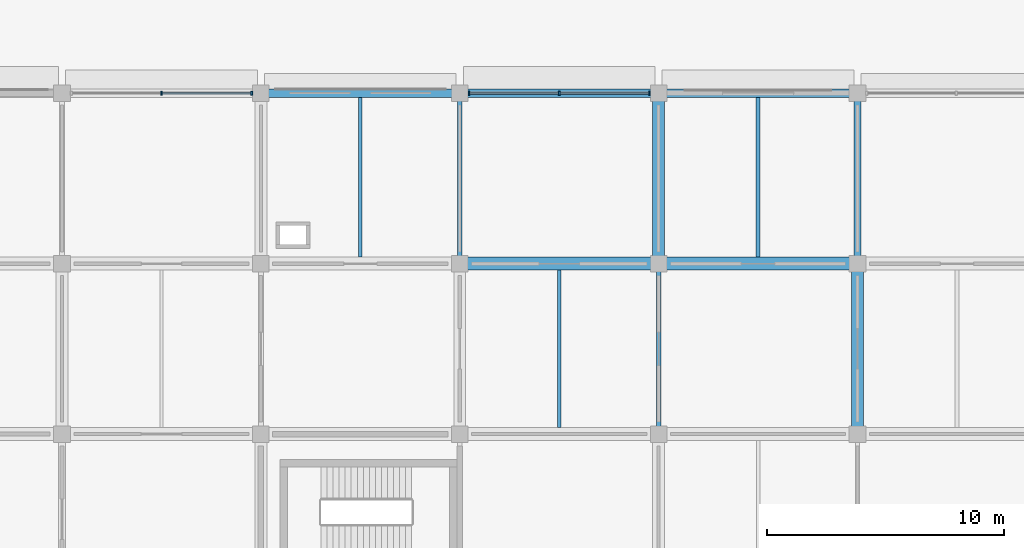
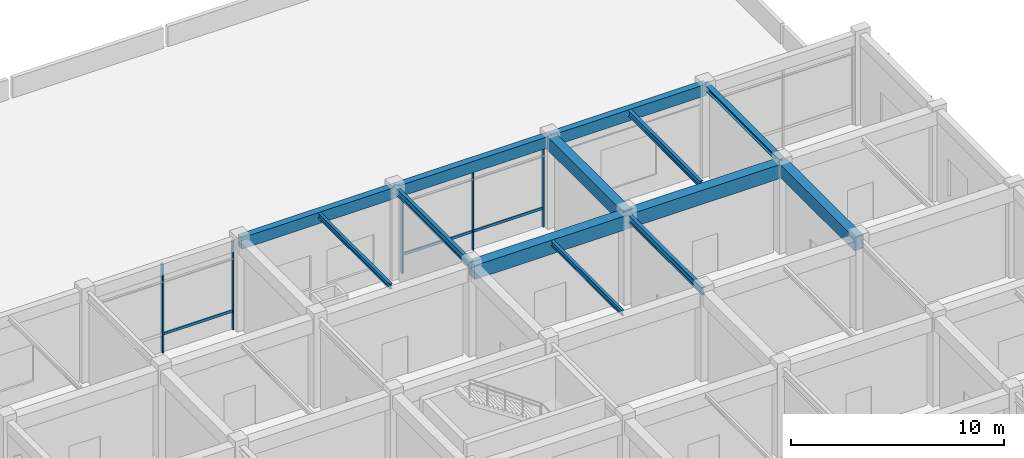
# One storey, part 14 of 41: 13 beams, 8 members, 2 elements without a shape of their own.
"""IFC4 building model written with IfcOpenShell, lengths in metres."""

from ifc_helpers import new_model, si_unit, derived_unit, direction, frame, origin, origin_2d, place, context, subcontext, project, spatial, rectangle, i_section, extrude, material, material_profile, profile_set, type_object, element, aggregate, save


model = new_model("IFC4")

# Units and contexts
model_context = context("Model", 3, precision=1e-05, world=origin(), true_north=direction((0.0, 1.0)))
body_context = subcontext(model_context, "Body", "Model", "MODEL_VIEW")
ifc_project = project(units=[si_unit("LENGTHUNIT", "METRE"), si_unit("AREAUNIT", "SQUARE_METRE"), si_unit("VOLUMEUNIT", "CUBIC_METRE"), si_unit("PLANEANGLEUNIT", "RADIAN"), si_unit("MASSUNIT", "GRAM", prefix="KILO"), derived_unit("THERMALTRANSMITTANCEUNIT", [(si_unit("MASSUNIT", "GRAM", prefix="KILO"), 1), (si_unit("TIMEUNIT", "SECOND"), -3), (si_unit("THERMODYNAMICTEMPERATUREUNIT", "KELVIN"), -1)])], contexts=[model_context])

# Site, building, storey
site_placement = place(None, origin())
site = spatial("IfcSite", under=ifc_project, at=site_placement, CompositionType="ELEMENT")
building_placement = place(site_placement, origin())
building = spatial("IfcBuilding", under=site, at=building_placement, Name="Veldstrom Oceanarium and Marine Research Institute", CompositionType="ELEMENT")
storey_placement = place(building_placement, frame((0.0, 0.0, 6.0)))
storey = spatial("IfcBuildingStorey", under=building, at=storey_placement, Name="L01", CompositionType="ELEMENT", Elevation=6.0)

# Curtain wall, members
ifc_material_1 = material(Name="Anodised Aluminium Framing", Category="aluminium")
curtain_wall_type = type_object("IfcCurtainWallType", Name="ARC-CW-CW02", PredefinedType="USERDEFINED", material=ifc_material_1)
curtain_wall_1_placement = place(storey_placement, origin())
curtain_wall_1 = element("IfcCurtainWall", 1, at=curtain_wall_1_placement, inside=storey, type_object=curtain_wall_type, Name="Curtain Wall CW02 CW-L01-014", ObjectType="Curtain wall", PredefinedType="USERDEFINED")
ifc_material_2 = material(Name="Anodised Aluminium Framing", Category="aluminium")
ifc_material_profile_1 = material_profile(ifc_material_2, rectangle(XDim=0.074951171875, YDim=0.179931640625, at=origin_2d()), Name="ALU-MUL-75x180")
ifc_profile_set_1 = profile_set([ifc_material_profile_1], Name="Anodised Aluminium Framing")
member_type_1 = type_object("IfcMemberType", Name="ARC-MUL-ML1", PredefinedType="MULLION", material=ifc_profile_set_1)
member_1_placement = place(storey_placement, frame((130.199951171875, 93.60009765625, 0.0), z_axis=(0.0, 0.0, 1.0), x_axis=(1.0, 0.0, 0.0)))
member_1 = element("IfcMember", 2, at=member_1_placement, type_object=member_type_1, Name="Curtain Wall Mullion CW-L01-014-MUL-2", PredefinedType="MULLION", context=body_context, shape_type="SweptSolid", body=[
    extrude(rectangle(XDim=0.074951171875, YDim=0.179931640625, at=origin_2d()), origin(), (0.0, 0.0, 1.0), 5.074951171875),
])
member_2_placement = place(storey_placement, frame((134.010009765625, 93.60009765625, 0.0), z_axis=(0.0, 0.0, 1.0), x_axis=(1.0, 0.0, 0.0)))
member_2 = element("IfcMember", 3, at=member_2_placement, type_object=member_type_1, Name="Curtain Wall Mullion CW-L01-014-MUL-3", PredefinedType="MULLION", context=body_context, shape_type="SweptSolid", body=[
    extrude(rectangle(XDim=0.074951171875, YDim=0.179931640625, at=origin_2d()), origin(), (0.0, 0.0, 1.0), 5.074951171875),
])

curtain_wall_2_placement = place(storey_placement, origin())
curtain_wall_2 = element("IfcCurtainWall", 4, at=curtain_wall_2_placement, inside=storey, type_object=curtain_wall_type, Name="Curtain Wall CW02 CW-L01-015", ObjectType="Curtain wall", PredefinedType="USERDEFINED")
member_3_placement = place(storey_placement, frame((143.18994140625, 93.60009765625, 0.0), z_axis=(0.0, 0.0, 1.0), x_axis=(1.0, 0.0, 0.0)))
member_3 = element("IfcMember", 5, at=member_3_placement, type_object=member_type_1, Name="Curtain Wall Mullion CW-L01-015-MUL-1", PredefinedType="MULLION", context=body_context, shape_type="SweptSolid", body=[
    extrude(rectangle(XDim=0.074951171875, YDim=0.179931640625, at=origin_2d()), origin(), (0.0, 0.0, 1.0), 5.074951171875),
])
member_4_placement = place(storey_placement, frame((147.0, 93.60009765625, 0.0), z_axis=(0.0, 0.0, 1.0), x_axis=(1.0, 0.0, 0.0)))
member_4 = element("IfcMember", 6, at=member_4_placement, type_object=member_type_1, Name="Curtain Wall Mullion CW-L01-015-MUL-2", PredefinedType="MULLION", context=body_context, shape_type="SweptSolid", body=[
    extrude(rectangle(XDim=0.074951171875, YDim=0.179931640625, at=origin_2d()), origin(), (0.0, 0.0, 1.0), 5.074951171875),
])
member_5_placement = place(storey_placement, frame((150.81005859375, 93.60009765625, 0.0), z_axis=(0.0, 0.0, 1.0), x_axis=(1.0, 0.0, 0.0)))
member_5 = element("IfcMember", 7, at=member_5_placement, type_object=member_type_1, Name="Curtain Wall Mullion CW-L01-015-MUL-3", PredefinedType="MULLION", context=body_context, shape_type="SweptSolid", body=[
    extrude(rectangle(XDim=0.074951171875, YDim=0.179931640625, at=origin_2d()), origin(), (0.0, 0.0, 1.0), 5.074951171875),
])

# Member
ifc_material_3 = material(Name="Anodised Aluminium Framing", Category="aluminium")
ifc_material_profile_2 = material_profile(ifc_material_3, rectangle(XDim=0.074951171875, YDim=0.14990234375, at=origin_2d()), Name="ALU-TRN-75x150")
ifc_profile_set_2 = profile_set([ifc_material_profile_2], Name="Anodised Aluminium Framing")
member_type_2 = type_object("IfcMemberType", Name="ARC-TRN-TR1", PredefinedType="USERDEFINED", material=ifc_profile_set_2)
member_6_placement = place(storey_placement, frame((130.239990234375, 93.60009765625, 1.050048828125), z_axis=(1.0, 0.0, 0.0), x_axis=(0.0, 1.0, 0.0)))
member_6 = element("IfcMember", 8, at=member_6_placement, type_object=member_type_2, Name="Curtain Wall Transom CW-L01-014-TRN-2", ObjectType="Transom", PredefinedType="USERDEFINED", context=body_context, shape_type="SweptSolid", body=[
    extrude(rectangle(XDim=0.074951171875, YDim=0.14990234375, at=origin_2d()), origin(), (0.0, 0.0, 1.0), 3.72998046875),
])

aggregate(curtain_wall_1, [member_1, member_2, member_6])

member_7_placement = place(storey_placement, frame((143.22998046875, 93.60009765625, 1.050048828125), z_axis=(1.0, 0.0, 0.0), x_axis=(0.0, 1.0, 0.0)))
member_7 = element("IfcMember", 9, at=member_7_placement, type_object=member_type_2, Name="Curtain Wall Transom CW-L01-015-TRN-1", ObjectType="Transom", PredefinedType="USERDEFINED", context=body_context, shape_type="SweptSolid", body=[
    extrude(rectangle(XDim=0.074951171875, YDim=0.14990234375, at=origin_2d()), origin(), (0.0, 0.0, 1.0), 3.72998046875),
])

member_8_placement = place(storey_placement, frame((147.0400390625, 93.60009765625, 1.050048828125), z_axis=(1.0, 0.0, 0.0), x_axis=(0.0, 1.0, 0.0)))
member_8 = element("IfcMember", 10, at=member_8_placement, type_object=member_type_2, Name="Curtain Wall Transom CW-L01-015-TRN-2", ObjectType="Transom", PredefinedType="USERDEFINED", context=body_context, shape_type="SweptSolid", body=[
    extrude(rectangle(XDim=0.074951171875, YDim=0.14990234375, at=origin_2d()), origin(), (0.0, 0.0, 1.0), 3.72998046875),
])

aggregate(curtain_wall_2, [member_3, member_4, member_5, member_7, member_8])

# Beams
ifc_material_4 = material(Name="Concrete C40/50", Category="concrete")
ifc_material_profile_3 = material_profile(ifc_material_4, rectangle(XDim=0.550048828125, YDim=0.800048828125, at=origin_2d()), Name="RC-BM-550x800")
ifc_profile_set_3 = profile_set([ifc_material_profile_3], Name="Concrete C40/50")
beam_type_1 = type_object("IfcBeamType", Name="STR-BM-B02", PredefinedType="BEAM", material=ifc_profile_set_3)
beam_1_placement = place(storey_placement, frame((142.800048828125, 86.39990234375, 4.669921875), z_axis=(1.0, 0.0, 0.0), x_axis=(0.0, 1.0, 0.0)))
element("IfcBeam", 11, at=beam_1_placement, inside=storey, type_object=beam_type_1, Name="Primary Beam B02 L01-1267", PredefinedType="BEAM", context=body_context, shape_type="SweptSolid", body=[
    extrude(rectangle(XDim=0.550048828125, YDim=0.800048828125, at=origin_2d()), origin(), (0.0, 0.0, 1.0), 8.39990234375),
])
beam_2_placement = place(storey_placement, frame((151.199951171875, 86.39990234375, 4.669921875), z_axis=(1.0, 0.0, 0.0), x_axis=(0.0, 1.0, 0.0)))
element("IfcBeam", 12, at=beam_2_placement, inside=storey, type_object=beam_type_1, Name="Primary Beam B02 L01-1275", PredefinedType="BEAM", context=body_context, shape_type="SweptSolid", body=[
    extrude(rectangle(XDim=0.550048828125, YDim=0.800048828125, at=origin_2d()), origin(), (0.0, 0.0, 1.0), 8.400146484375),
])
ifc_material_5 = material(Name="Concrete C40/50", Category="concrete")
ifc_material_profile_4 = material_profile(ifc_material_5, rectangle(XDim=0.5, YDim=0.75, at=origin_2d()), Name="RC-BM-500x750")
ifc_profile_set_4 = profile_set([ifc_material_profile_4], Name="Concrete C40/50")
beam_type_2 = type_object("IfcBeamType", Name="STR-BM-B03", PredefinedType="BEAM", material=ifc_profile_set_4)
beam_3_placement = place(storey_placement, frame((151.199951171875, 86.39990234375, 4.794921875), z_axis=(0.0, 1.0, 0.0), x_axis=(-1.0, 0.0, 0.0)))
element("IfcBeam", 13, at=beam_3_placement, inside=storey, type_object=beam_type_2, Name="Primary Beam B03 L01-1417", PredefinedType="BEAM", context=body_context, shape_type="SweptSolid", body=[
    extrude(rectangle(XDim=0.5, YDim=0.75, at=origin_2d()), origin(), (0.0, 0.0, 1.0), 7.2001953125),
])
beam_4_placement = place(storey_placement, frame((159.60009765625, 79.199951171875, 4.695068359375), z_axis=(0.0, 1.0, 0.0), x_axis=(-1.0, 0.0, 0.0)))
element("IfcBeam", 14, at=beam_4_placement, inside=storey, type_object=beam_type_2, Name="Primary Beam B03 L01-1423", PredefinedType="BEAM", context=body_context, shape_type="SweptSolid", body=[
    extrude(rectangle(XDim=0.5, YDim=0.75, at=origin_2d()), origin(), (0.0, 0.0, 1.0), 7.199951171875),
])
ifc_material_6 = material(Name="Steel S355JR", Category="steel")
ifc_material_profile_5 = material_profile(ifc_material_6, i_section(OverallWidth=0.300048828125, OverallDepth=0.2900390625, WebThickness=0.008544921875, FlangeThickness=0.013916015625, FilletRadius=0.027099609375, at=origin_2d()), Name="HEA 300")
ifc_profile_set_5 = profile_set([ifc_material_profile_5], Name="Steel S355JR")
beam_type_3 = type_object("IfcBeamType", Name="STR-BM-SB10", PredefinedType="BEAM", material=ifc_profile_set_5)
beam_5_placement = place(storey_placement, frame((159.60009765625, 86.39990234375, 5.02490234375), z_axis=(0.0, 1.0, 0.0), x_axis=(-1.0, 0.0, 0.0)))
element("IfcBeam", 15, at=beam_5_placement, inside=storey, type_object=beam_type_3, Name="Steel Tie Beam SB10 L01-1424", PredefinedType="BEAM", context=body_context, shape_type="SweptSolid", body=[
    extrude(i_section(OverallWidth=0.300048828125, OverallDepth=0.2900390625, WebThickness=0.008544921875, FlangeThickness=0.013916015625, FilletRadius=0.027099609375, at=origin_2d()), origin(), (0.0, 0.0, 1.0), 7.2001953125),
])
ifc_material_7 = material(Name="Steel S355JR", Category="steel")
ifc_material_profile_6 = material_profile(ifc_material_7, i_section(OverallWidth=0.179931640625, OverallDepth=0.39990234375, WebThickness=0.008544921875, FlangeThickness=0.013427734375, FilletRadius=0.02099609375, at=origin_2d()), Name="IPE 400")
ifc_profile_set_6 = profile_set([ifc_material_profile_6], Name="Steel S355JR")
beam_type_4 = type_object("IfcBeamType", Name="STR-BM-SB8", PredefinedType="BEAM", material=ifc_profile_set_6)
beam_6_placement = place(storey_placement, frame((142.800048828125, 86.39990234375, 4.969970703125), z_axis=(0.0, 1.0, 0.0), x_axis=(-1.0, 0.0, 0.0)))
element("IfcBeam", 16, at=beam_6_placement, inside=storey, type_object=beam_type_4, Name="Steel Tie Beam SB8 L01-1410", PredefinedType="BEAM", context=body_context, shape_type="SweptSolid", body=[
    extrude(i_section(OverallWidth=0.179931640625, OverallDepth=0.39990234375, WebThickness=0.008544921875, FlangeThickness=0.013427734375, FilletRadius=0.02099609375, at=origin_2d()), origin(), (0.0, 0.0, 1.0), 7.2001953125),
])
beam_7_placement = place(storey_placement, frame((151.199951171875, 79.199951171875, 4.8701171875), z_axis=(0.0, 1.0, 0.0), x_axis=(-1.0, 0.0, 0.0)))
element("IfcBeam", 17, at=beam_7_placement, inside=storey, type_object=beam_type_4, Name="Steel Tie Beam SB8 L01-1416", PredefinedType="BEAM", context=body_context, shape_type="SweptSolid", body=[
    extrude(i_section(OverallWidth=0.179931640625, OverallDepth=0.39990234375, WebThickness=0.008544921875, FlangeThickness=0.013427734375, FilletRadius=0.02099609375, at=origin_2d()), origin(), (0.0, 0.0, 1.0), 7.199951171875),
])
ifc_material_8 = material(Name="Steel S355JR", Category="steel")
ifc_material_profile_7 = material_profile(ifc_material_8, i_section(OverallWidth=0.169921875, OverallDepth=0.360107421875, WebThickness=0.008056640625, FlangeThickness=0.0126953125, FilletRadius=0.01806640625, at=origin_2d()), Name="IPE 360")
ifc_profile_set_7 = profile_set([ifc_material_profile_7], Name="Steel S355JR")
beam_type_5 = type_object("IfcBeamType", Name="STR-JST-SJ1", PredefinedType="JOIST", material=ifc_profile_set_7)
beam_8_placement = place(storey_placement, frame((155.39990234375, 86.675048828125, 4.989990234375), z_axis=(0.0, 1.0, 0.0), x_axis=(-1.0, 0.0, 0.0)))
element("IfcBeam", 18, at=beam_8_placement, inside=storey, type_object=beam_type_5, Name="Secondary Joist SJ1 L01-1486", PredefinedType="JOIST", context=body_context, shape_type="SweptSolid", body=[
    extrude(i_section(OverallWidth=0.169921875, OverallDepth=0.360107421875, WebThickness=0.008056640625, FlangeThickness=0.0126953125, FilletRadius=0.01806640625, at=origin_2d()), origin(), (0.0, 0.0, 1.0), 6.75),
])
ifc_material_9 = material(Name="Steel S355JR", Category="steel")
ifc_material_profile_8 = material_profile(ifc_material_9, i_section(OverallWidth=0.14990234375, OverallDepth=0.300048828125, WebThickness=0.007080078125, FlangeThickness=0.0107421875, FilletRadius=0.014892578125, at=origin_2d()), Name="IPE 300")
ifc_profile_set_8 = profile_set([ifc_material_profile_8], Name="Steel S355JR")
beam_type_6 = type_object("IfcBeamType", Name="STR-JST-SJ2", PredefinedType="JOIST", material=ifc_profile_set_8)
beam_9_placement = place(storey_placement, frame((138.60009765625, 86.675048828125, 5.02001953125), z_axis=(0.0, 1.0, 0.0), x_axis=(-1.0, 0.0, 0.0)))
element("IfcBeam", 19, at=beam_9_placement, inside=storey, type_object=beam_type_6, Name="Secondary Joist SJ2 L01-1479", PredefinedType="JOIST", context=body_context, shape_type="SweptSolid", body=[
    extrude(i_section(OverallWidth=0.14990234375, OverallDepth=0.300048828125, WebThickness=0.007080078125, FlangeThickness=0.0107421875, FilletRadius=0.014892578125, at=origin_2d()), origin(), (0.0, 0.0, 1.0), 6.75),
])
beam_10_placement = place(storey_placement, frame((147.0, 79.47509765625, 4.919921875), z_axis=(0.0, 1.0, 0.0), x_axis=(-1.0, 0.0, 0.0)))
element("IfcBeam", 20, at=beam_10_placement, inside=storey, type_object=beam_type_6, Name="Secondary Joist SJ2 L01-1482", PredefinedType="JOIST", context=body_context, shape_type="SweptSolid", body=[
    extrude(i_section(OverallWidth=0.14990234375, OverallDepth=0.300048828125, WebThickness=0.007080078125, FlangeThickness=0.0107421875, FilletRadius=0.014892578125, at=origin_2d()), origin(), (0.0, 0.0, 1.0), 6.64990234375),
])
ifc_material_10 = material(Name="Concrete C40/50", Category="concrete")
ifc_material_profile_9 = material_profile(ifc_material_10, rectangle(XDim=0.35009765625, YDim=0.64990234375, at=origin_2d()), Name="RC-SPN-350x650")
ifc_profile_set_9 = profile_set([ifc_material_profile_9], Name="Concrete C40/50")
beam_type_7 = type_object("IfcBeamType", Name="STR-SPN-SP1", PredefinedType="SPANDREL", material=ifc_profile_set_9)
beam_11_placement = place(storey_placement, frame((134.39990234375, 93.60009765625, 4.844970703125), z_axis=(1.0, 0.0, 0.0), x_axis=(0.0, 1.0, 0.0)))
element("IfcBeam", 21, at=beam_11_placement, inside=storey, type_object=beam_type_7, Name="Perimeter Spandrel SPB1 L01-1260", PredefinedType="SPANDREL", context=body_context, shape_type="SweptSolid", body=[
    extrude(rectangle(XDim=0.35009765625, YDim=0.64990234375, at=origin_2d()), origin(), (0.0, 0.0, 1.0), 8.400146484375),
])
beam_12_placement = place(storey_placement, frame((142.800048828125, 93.60009765625, 4.844970703125), z_axis=(1.0, 0.0, 0.0), x_axis=(0.0, 1.0, 0.0)))
element("IfcBeam", 22, at=beam_12_placement, inside=storey, type_object=beam_type_7, Name="Perimeter Spandrel SPB1 L01-1268", PredefinedType="SPANDREL", context=body_context, shape_type="SweptSolid", body=[
    extrude(rectangle(XDim=0.35009765625, YDim=0.64990234375, at=origin_2d()), origin(), (0.0, 0.0, 1.0), 8.39990234375),
])
beam_13_placement = place(storey_placement, frame((151.199951171875, 93.60009765625, 4.844970703125), z_axis=(1.0, 0.0, 0.0), x_axis=(0.0, 1.0, 0.0)))
element("IfcBeam", 23, at=beam_13_placement, inside=storey, type_object=beam_type_7, Name="Perimeter Spandrel SPB1 L01-1276", PredefinedType="SPANDREL", context=body_context, shape_type="SweptSolid", body=[
    extrude(rectangle(XDim=0.35009765625, YDim=0.64990234375, at=origin_2d()), origin(), (0.0, 0.0, 1.0), 8.400146484375),
])

save(model, "model.ifc")
